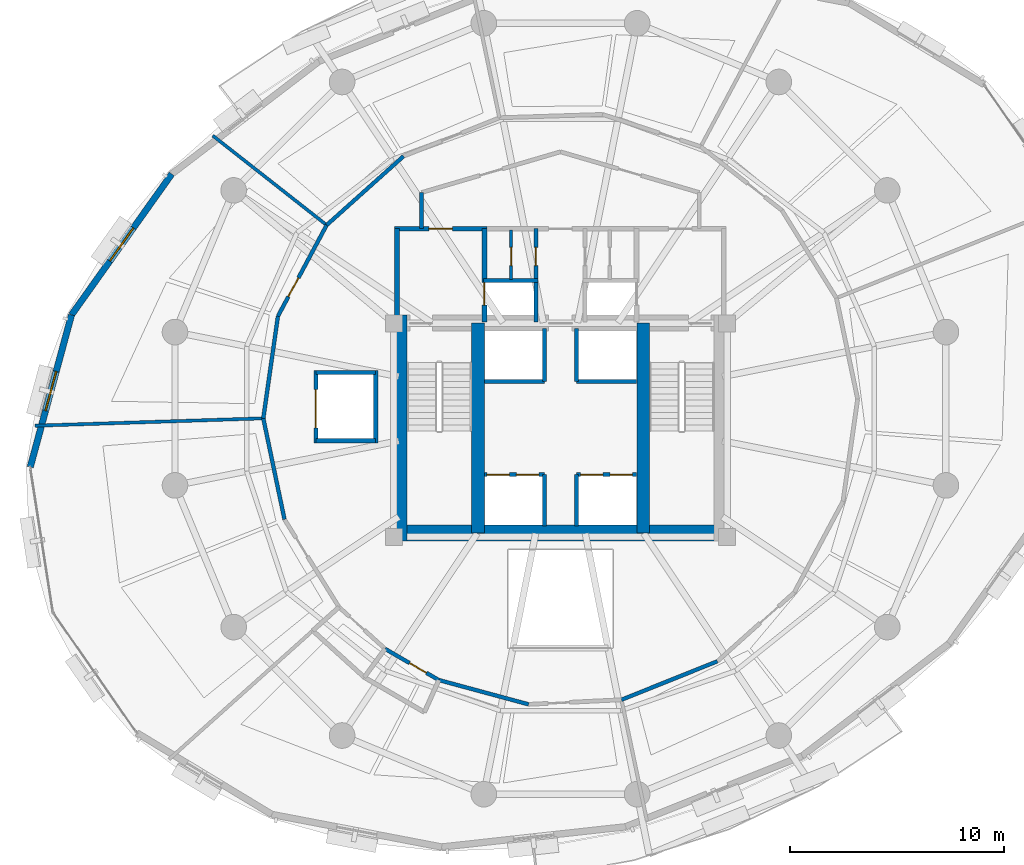
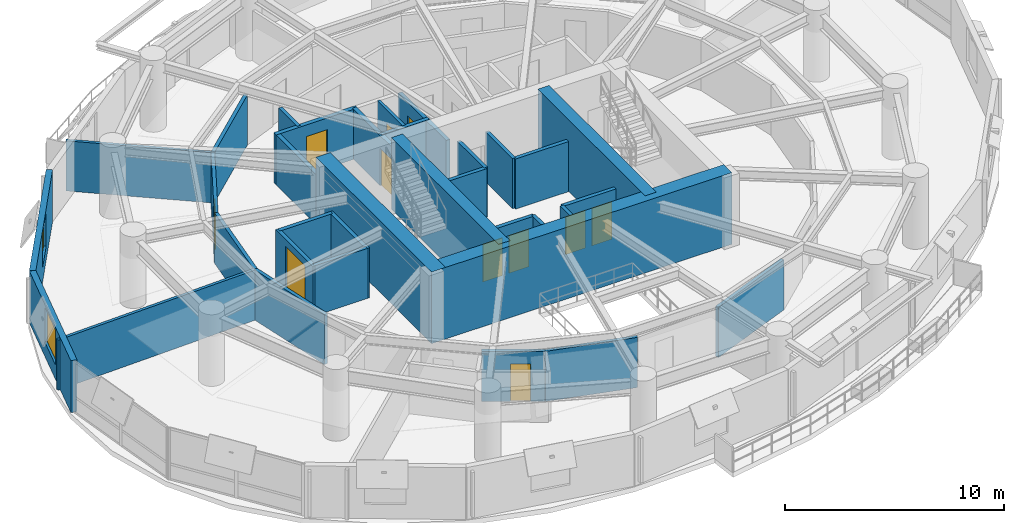
# One storey, part 10 of 14: 34 walls, 11 doors, 2 windows, 13 openings.
"""IFC4 building model written with IfcOpenShell, lengths in metres."""

from ifc_helpers import new_model, si_unit, direction, frame, frame_2d, origin, place, context, subcontext, project, spatial, rectangle, extrude, material, layer, layer_set, type_object, element, fill, save


model = new_model("IFC4")

# Units and contexts
model_context = context("Model", 3, precision=1e-05, world=origin(), true_north=direction((0.0, 1.0)))
body_context = subcontext(model_context, "Body", "Model", "MODEL_VIEW")
ifc_project = project(units=[si_unit("LENGTHUNIT", "METRE"), si_unit("AREAUNIT", "SQUARE_METRE"), si_unit("VOLUMEUNIT", "CUBIC_METRE"), si_unit("PLANEANGLEUNIT", "RADIAN"), si_unit("MASSUNIT", "GRAM", prefix="KILO"), si_unit("THERMODYNAMICTEMPERATUREUNIT", "KELVIN"), si_unit("POWERUNIT", "WATT")], contexts=[model_context])

# Site, building, storey
site_placement = place(None, origin())
site = spatial("IfcSite", under=ifc_project, at=site_placement, CompositionType="ELEMENT")
building_placement = place(site_placement, origin())
building = spatial("IfcBuilding", under=site, at=building_placement, Name="Ocrelia Relay Tower", CompositionType="ELEMENT")
storey_placement = place(building_placement, frame((0.0, 0.0, 125.800048828125)))
storey = spatial("IfcBuildingStorey", under=building, at=storey_placement, Name="L29", CompositionType="ELEMENT", Elevation=125.800048828125)

# Walls
ifc_material_1 = material(Name="Concrete C60/75", Category="concrete")
ifc_layer_1 = layer(ifc_material_1, 0.75, Name="Concrete C60/75")
ifc_layer_set_1 = layer_set([ifc_layer_1], Name="Concrete C60/75")
wall_type_1 = type_object("IfcWallType", Name="CW-CORE-750", PredefinedType="SHEAR", material=ifc_layer_set_1)
wall_1_placement = place(storey_placement, frame((26.072021484375, 20.18701171875, 0.0), z_axis=(0.0, 0.0, 1.0), x_axis=(1.0, 0.0, 0.0)))
element("IfcWall", 1, at=wall_1_placement, inside=storey, type_object=wall_type_1, Name="L29 Core Shear Wall S", PredefinedType="SHEAR", context=body_context, shape_type="SweptSolid", body=[
    extrude(rectangle(XDim=15.865966796875, YDim=0.75, at=frame_2d((7.93310546875, 0.0))), origin(), (0.0, 0.0, 1.0), 4.0),
])
wall_2_placement = place(storey_placement, frame((26.447021484375, 19.81201171875, 0.0), z_axis=(0.0, 0.0, 1.0), x_axis=(0.0, 1.0, 0.0)))
element("IfcWall", 2, at=wall_2_placement, inside=storey, type_object=wall_type_1, Name="L29 Core Shear Wall W", PredefinedType="SHEAR", context=body_context, shape_type="SweptSolid", body=[
    extrude(rectangle(XDim=10.575927734375, YDim=0.75, at=frame_2d((5.2880859375, 0.0))), origin(), (0.0, 0.0, 1.0), 4.0),
])
for number, where, z_axis, x_axis, name in (
    (3, (30.137939453125, 20.18701171875, 0.0), (0.0, 0.0, 1.0), (0.0, 1.0, 0.0), "L29 Core Shear Wall SPW"),
    (4, (37.8720703125, 20.18701171875, 0.0), (0.0, 0.0, 1.0), (0.0, 1.0, 0.0), "L29 Core Shear Wall SPE"),
):
    element("IfcWall", number, at=place(storey_placement, frame(where, z_axis=z_axis, x_axis=x_axis)), inside=storey, type_object=wall_type_1, Name=name, PredefinedType="SHEAR", context=body_context, shape_type="SweptSolid", body=[
        extrude(rectangle(XDim=9.825927734375, YDim=0.60009765625, at=frame_2d((4.9130859375, 0.0))), origin(), (0.0, 0.0, 1.0), 4.0),
    ])
ifc_material_2 = material(Name="Gypsum Fireboard Partition EI60", Category="gypsum")
ifc_layer_2 = layer(ifc_material_2, 0.179931640625, Name="Gypsum Fireboard Partition EI60")
ifc_layer_set_2 = layer_set([ifc_layer_2], Name="Gypsum Fireboard Partition EI60")
wall_type_2 = type_object("IfcWallType", Name="W-CORR-EI60-180", PredefinedType="PARTITIONING", material=ifc_layer_set_2)
wall_3_placement = place(storey_placement, frame((27.5, 34.429931640625, 0.0), z_axis=(0.0, 0.0, 1.0), x_axis=(0.0, 1.0, 0.0)))
element("IfcWall", 5, at=wall_3_placement, inside=storey, type_object=wall_type_2, Name="L29 Smoke Lobby West Return", PredefinedType="PARTITIONING", context=body_context, shape_type="SweptSolid", body=[
    extrude(rectangle(XDim=1.69287109375, YDim=0.179931640625, at=frame_2d((0.846435546875, 0.0))), origin(), (0.0, 0.0, 1.0), 2.800048828125),
])

# Wall, opening, door
wall_4_placement = place(storey_placement, frame((25.78857421875, 14.760009765625, 0.0), z_axis=(0.0, 0.0, 1.0), x_axis=(0.864705496713, -0.502279209161, 0.0)))
wall_4 = element("IfcWall", 6, at=wall_4_placement, inside=storey, type_object=wall_type_2, Name="L29 Accessible Toilet Corridor Wall", PredefinedType="PARTITIONING", context=body_context, shape_type="SweptSolid", body=[
    extrude(rectangle(XDim=2.91015625, YDim=0.179931640625, at=frame_2d((1.455078125, 0.0))), origin(), (0.0, 0.0, 1.0), 2.800048828125),
])
opening_1_placement = place(wall_4_placement, frame((1.321044921875, 0.0, 0.0)))
opening_1 = element("IfcOpeningElement", 7, at=opening_1_placement, cuts=wall_4, Name="Opening D-WC92", PredefinedType="OPENING", context=body_context, shape_type="SweptSolid", body=[
    extrude(rectangle(XDim=0.919921875, YDim=2.10009765625, at=frame_2d((0.4599609375, 1.050048828125))), frame((0.0, 0.10009765625, 0.0), z_axis=(0.0, -1.0, 0.0), x_axis=(1.0, 0.0, 0.0)), (0.0, 0.0, 1.0), 0.199951171875),
])
ifc_material_3 = material(Name="Laminate washroom door", Category="wood")
door_type_1 = type_object("IfcDoorType", Name="DR-WC-920", OperationType="NOTDEFINED", PredefinedType="DOOR", material=ifc_material_3)
door_1_placement = place(opening_1_placement, origin())
door_1 = element("IfcDoor", 8, at=door_1_placement, inside=storey, type_object=door_type_1, Name="L29 Accessible Toilet Door", OperationType="SINGLE_SWING_RIGHT", OverallHeight=2.10009765625, OverallWidth=0.919921875, PredefinedType="DOOR", context=body_context, shape_type="SweptSolid", body=[
    extrude(rectangle(XDim=0.919921875, YDim=2.10009765625, at=frame_2d((0.4599609375, 1.050048828125))), frame((0.0, 0.02490234375, 0.0), z_axis=(0.0, -1.0, 0.0), x_axis=(1.0, 0.0, 0.0)), (0.0, 0.0, 1.0), 0.050048828125),
])
fill(opening_1, door_1)

# Walls
wall_5_placement = place(storey_placement, frame((28.304931640625, 13.29833984375, 0.0), z_axis=(0.0, 0.0, 1.0), x_axis=(0.965247291072, -0.261338223531, 0.0)))
element("IfcWall", 9, at=wall_5_placement, inside=storey, type_object=wall_type_2, Name="L29 Innovation Club Room Corridor Partition 1", PredefinedType="PARTITIONING", context=body_context, shape_type="SweptSolid", body=[
    extrude(rectangle(XDim=4.355224609375, YDim=0.179931640625, at=frame_2d((2.177734375, 0.0))), origin(), (0.0, 0.0, 1.0), 2.800048828125),
])
wall_6_placement = place(storey_placement, frame((36.8583984375, 12.376708984375, 0.0), z_axis=(0.0, 0.0, 1.0), x_axis=(0.928173370801, 0.372148080387, 0.0)))
element("IfcWall", 10, at=wall_6_placement, inside=storey, type_object=wall_type_2, Name="L29 Optical Switching Hall A Corridor Partition 1", PredefinedType="PARTITIONING", context=body_context, shape_type="SweptSolid", body=[
    extrude(rectangle(XDim=4.834228515625, YDim=0.179931640625, at=frame_2d((2.4169921875, 0.0))), origin(), (0.0, 0.0, 1.0), 2.800048828125),
])
wall_7_placement = place(storey_placement, frame((26.654541015625, 37.82421875, 0.0), z_axis=(0.0, 0.0, 1.0), x_axis=(-0.744874027172, -0.66720512861, 0.0)))
element("IfcWall", 11, at=wall_7_placement, inside=storey, type_object=wall_type_2, Name="L29 Staff Wellness Room Corridor Partition 2", PredefinedType="PARTITIONING", context=body_context, shape_type="SweptSolid", body=[
    extrude(rectangle(XDim=4.83447265625, YDim=0.179931640625, at=frame_2d((2.417236328125, 0.0))), origin(), (0.0, 0.0, 1.0), 2.800048828125),
])

# Wall, opening, door
wall_8_placement = place(storey_placement, frame((23.053466796875, 34.5986328125, 0.0), z_axis=(0.0, 0.0, 1.0), x_axis=(-0.4717883109, -0.881711851853, 0.0)))
wall_8 = element("IfcWall", 12, at=wall_8_placement, inside=storey, type_object=wall_type_2, Name="L29 Shift Staff Lounge Corridor Partition 1", PredefinedType="PARTITIONING", context=body_context, shape_type="SweptSolid", body=[
    extrude(rectangle(XDim=4.834228515625, YDim=0.179931640625, at=frame_2d((2.4169921875, 0.0))), origin(), (0.0, 0.0, 1.0), 2.800048828125),
])
opening_2_placement = place(wall_8_placement, frame((2.80078125, 0.0, 0.0)))
opening_2 = element("IfcOpeningElement", 13, at=opening_2_placement, cuts=wall_8, Name="Opening D-RM100", PredefinedType="OPENING", context=body_context, shape_type="SweptSolid", body=[
    extrude(rectangle(XDim=1.0, YDim=2.14990234375, at=frame_2d((0.5, 1.074951171875))), frame((0.0, 0.10009765625, 0.0), z_axis=(0.0, -1.0, 0.0), x_axis=(1.0, 0.0, 0.0)), (0.0, 0.0, 1.0), 0.199951171875),
])
ifc_material_4 = material(Name="Acoustic oak veneer fire door", Category="wood")
door_type_2 = type_object("IfcDoorType", Name="DR-ROOM-FD60-1000", OperationType="NOTDEFINED", PredefinedType="DOOR", material=ifc_material_4)
door_2_placement = place(opening_2_placement, origin())
door_2 = element("IfcDoor", 14, at=door_2_placement, inside=storey, type_object=door_type_2, Name="L29 Shift Staff Lounge Entrance Door", OperationType="SINGLE_SWING_RIGHT", OverallHeight=2.14990234375, OverallWidth=1.0, PredefinedType="DOOR", context=body_context, shape_type="SweptSolid", body=[
    extrude(rectangle(XDim=1.0, YDim=2.14990234375, at=frame_2d((0.5, 1.074951171875))), frame((0.0, 0.02490234375, 0.0), z_axis=(0.0, -1.0, 0.0), x_axis=(1.0, 0.0, 0.0)), (0.0, 0.0, 1.0), 0.050048828125),
])
fill(opening_2, door_2)

# Walls
wall_9_placement = place(storey_placement, frame((20.772705078125, 30.336181640625, 0.0), z_axis=(0.0, 0.0, 1.0), x_axis=(-0.141753638595, -0.989901967846, 0.0)))
element("IfcWall", 15, at=wall_9_placement, inside=storey, type_object=wall_type_2, Name="L29 Shift Staff Lounge Corridor Partition 2", PredefinedType="PARTITIONING", context=body_context, shape_type="SweptSolid", body=[
    extrude(rectangle(XDim=4.83447265625, YDim=0.179931640625, at=frame_2d((2.417236328125, 0.0))), origin(), (0.0, 0.0, 1.0), 2.800048828125),
])
wall_10_placement = place(storey_placement, frame((20.08740234375, 25.550537109375, 0.0), z_axis=(0.0, 0.0, 1.0), x_axis=(0.205343584518, -0.978689946969, 0.0)))
element("IfcWall", 16, at=wall_10_placement, inside=storey, type_object=wall_type_2, Name="L29 Executive Reading Study Corridor Partition 1", PredefinedType="PARTITIONING", context=body_context, shape_type="SweptSolid", body=[
    extrude(rectangle(XDim=4.834228515625, YDim=0.179931640625, at=frame_2d((2.4169921875, 0.0))), origin(), (0.0, 0.0, 1.0), 2.800048828125),
])

# Wall, opening, window
ifc_material_5 = material(Name="Precast concrete C40/50 with oxide terracotta", Category="masonry")
ifc_layer_3 = layer(ifc_material_5, 0.300048828125, Name="Precast concrete C40/50 with oxide terracotta")
ifc_layer_set_3 = layer_set([ifc_layer_3], Name="Precast concrete C40/50 with oxide terracotta")
wall_type_3 = type_object("IfcWallType", Name="W-EXT-TERR-300", PredefinedType="SOLIDWALL", material=ifc_layer_set_3)
wall_11_placement = place(storey_placement, frame((15.802001953125, 36.99072265625, 0.0), z_axis=(0.0, 0.0, 1.0), x_axis=(-0.579736538908, -0.814803992047, 0.0)))
wall_11 = element("IfcWall", 17, at=wall_11_placement, inside=storey, type_object=wall_type_3, Name="L29 Oxide Terracotta Facade Wall 07", PredefinedType="SOLIDWALL", context=body_context, shape_type="SweptSolid", body=[
    extrude(rectangle(XDim=8.0947265625, YDim=0.300048828125, at=frame_2d((4.04736328125, 0.0))), origin(), (0.0, 0.0, 1.0), 2.89990234375),
])
opening_3_placement = place(wall_11_placement, frame((3.097900390625, 0.0, 0.800048828125)))
opening_3 = element("IfcOpeningElement", 18, at=opening_3_placement, cuts=wall_11, Name="Opening W-06", PredefinedType="OPENING", context=body_context, shape_type="SweptSolid", body=[
    extrude(rectangle(XDim=1.89990234375, YDim=1.949951171875, at=frame_2d((0.949951171875, 0.97509765625))), frame((0.0, 0.16015625, 0.0), z_axis=(0.0, -1.0, 0.0), x_axis=(1.0, 0.0, 0.0)), (0.0, 0.0, 1.0), 0.320068359375),
])
ifc_material_6 = material(Name="Clear double-glazed low-E glass", Category="glass")
window_type = type_object("IfcWindowType", Name="WIN-Z2-1900x2100", PartitioningType="DOUBLE_PANEL_VERTICAL", PredefinedType="WINDOW", material=ifc_material_6)
window_1_placement = place(opening_3_placement, origin())
window_1 = element("IfcWindow", 19, at=window_1_placement, inside=storey, type_object=window_type, Name="L29 Facade Module Window 07", OverallHeight=1.949951171875, OverallWidth=1.89990234375, PartitioningType="SINGLE_PANEL", PredefinedType="WINDOW", context=body_context, shape_type="SweptSolid", body=[
    extrude(rectangle(XDim=1.89990234375, YDim=1.949951171875, at=frame_2d((0.949951171875, 0.97509765625))), frame((0.0, 0.030029296875, 0.0), z_axis=(0.0, -1.0, 0.0), x_axis=(1.0, 0.0, 0.0)), (0.0, 0.0, 1.0), 0.06005859375),
])
fill(opening_3, window_1)

wall_12_placement = place(storey_placement, frame((11.109130859375, 30.39501953125, 0.0), z_axis=(0.0, 0.0, 1.0), x_axis=(-0.261681809646, -0.965154200374, 0.0)))
wall_12 = element("IfcWall", 20, at=wall_12_placement, inside=storey, type_object=wall_type_3, Name="L29 Oxide Terracotta Facade Wall 08", PredefinedType="SOLIDWALL", context=body_context, shape_type="SweptSolid", body=[
    extrude(rectangle(XDim=7.383544921875, YDim=0.300048828125, at=frame_2d((3.69189453125, 0.0))), origin(), (0.0, 0.0, 1.0), 2.89990234375),
])
opening_4_placement = place(wall_12_placement, frame((2.741943359375, 0.0, 0.800048828125)))
opening_4 = element("IfcOpeningElement", 21, at=opening_4_placement, cuts=wall_12, Name="Opening W-06", PredefinedType="OPENING", context=body_context, shape_type="SweptSolid", body=[
    extrude(rectangle(XDim=1.89990234375, YDim=1.949951171875, at=frame_2d((0.949951171875, 0.97509765625))), frame((0.0, 0.16015625, 0.0), z_axis=(0.0, -1.0, 0.0), x_axis=(1.0, 0.0, 0.0)), (0.0, 0.0, 1.0), 0.320068359375),
])
window_2_placement = place(opening_4_placement, origin())
window_2 = element("IfcWindow", 22, at=window_2_placement, inside=storey, type_object=window_type, Name="L29 Facade Module Window 08", OverallHeight=1.949951171875, OverallWidth=1.89990234375, PartitioningType="SINGLE_PANEL", PredefinedType="WINDOW", context=body_context, shape_type="SweptSolid", body=[
    extrude(rectangle(XDim=1.89990234375, YDim=1.949951171875, at=frame_2d((0.949951171875, 0.97509765625))), frame((0.0, 0.030029296875, 0.0), z_axis=(0.0, -1.0, 0.0), x_axis=(1.0, 0.0, 0.0)), (0.0, 0.0, 1.0), 0.06005859375),
])
fill(opening_4, window_2)

# Wall
ifc_material_7 = material(Name="Concrete C50/60", Category="concrete")
ifc_layer_4 = layer(ifc_material_7, 0.219970703125, Name="Concrete C50/60")
ifc_layer_set_4 = layer_set([ifc_layer_4], Name="Concrete C50/60")
wall_type_4 = type_object("IfcWallType", Name="W-FFL-EI120-220", PredefinedType="SOLIDWALL", material=ifc_layer_set_4)
wall_13_placement = place(storey_placement, frame((26.35009765625, 30.050048828125, 0.0), z_axis=(0.0, 0.0, 1.0), x_axis=(0.0, 1.0, 0.0)))
element("IfcWall", 23, at=wall_13_placement, inside=storey, type_object=wall_type_4, Name="L29 W Fire Service Lift Lobby West Wall", PredefinedType="SOLIDWALL", context=body_context, shape_type="SweptSolid", body=[
    extrude(rectangle(XDim=4.3798828125, YDim=0.219970703125, at=frame_2d((2.18994140625, 0.0))), origin(), (0.0, 0.0, 1.0), 2.800048828125),
])

# Wall, opening, door
wall_14_placement = place(storey_placement, frame((30.43994140625, 30.050048828125, 0.0), z_axis=(0.0, 0.0, 1.0), x_axis=(0.0, 1.0, 0.0)))
wall_14 = element("IfcWall", 24, at=wall_14_placement, inside=storey, type_object=wall_type_4, Name="L29 W Fire Service Lift Lobby East Wall", PredefinedType="SOLIDWALL", context=body_context, shape_type="SweptSolid", body=[
    extrude(rectangle(XDim=4.3798828125, YDim=0.219970703125, at=frame_2d((2.18994140625, 0.0))), origin(), (0.0, 0.0, 1.0), 2.800048828125),
])
opening_5_placement = place(wall_14_placement, frame((0.800048828125, 0.0, 0.0)))
opening_5 = element("IfcOpeningElement", 25, at=opening_5_placement, cuts=wall_14, Name="Opening LD-FFL1", PredefinedType="OPENING", context=body_context, shape_type="SweptSolid", body=[
    extrude(rectangle(XDim=1.050048828125, YDim=2.10009765625, at=frame_2d((0.52490234375, 1.050048828125))), frame((0.0, 0.1201171875, 0.0), z_axis=(0.0, -1.0, 0.0), x_axis=(1.0, 0.0, 0.0)), (0.0, 0.0, 1.0), 0.239990234375),
])
ifc_material_8 = material(Name="Brushed stainless steel S355 lift landing door", Category="steel")
door_type_3 = type_object("IfcDoorType", Name="DR-LIFT-LAND-1050", OperationType="DOUBLE_DOOR_SLIDING", PredefinedType="USERDEFINED", material=ifc_material_8)
door_3_placement = place(opening_5_placement, origin())
door_3 = element("IfcDoor", 26, at=door_3_placement, inside=storey, type_object=door_type_3, Name="L29 Firefighting Lift FFL1 Sliding Landing Door", ObjectType="LANDING DOOR", OperationType="DOUBLE_DOOR_SLIDING", OverallHeight=2.10009765625, OverallWidth=1.050048828125, PredefinedType="USERDEFINED", context=body_context, shape_type="SweptSolid", body=[
    extrude(rectangle(XDim=1.050048828125, YDim=2.10009765625, at=frame_2d((0.52490234375, 1.050048828125))), frame((0.0, 0.02490234375, 0.0), z_axis=(0.0, -1.0, 0.0), x_axis=(1.0, 0.0, 0.0)), (0.0, 0.0, 1.0), 0.050048828125),
])
fill(opening_5, door_3)

wall_15_placement = place(storey_placement, frame((26.239990234375, 34.429931640625, 0.0), z_axis=(0.0, 0.0, 1.0), x_axis=(1.0, 0.0, 0.0)))
wall_15 = element("IfcWall", 27, at=wall_15_placement, inside=storey, type_object=wall_type_4, Name="L29 W Fire Service Lift Lobby North Wall", PredefinedType="SOLIDWALL", context=body_context, shape_type="SweptSolid", body=[
    extrude(rectangle(XDim=4.31005859375, YDim=0.219970703125, at=frame_2d((2.155029296875, 0.0))), origin(), (0.0, 0.0, 1.0), 2.800048828125),
])
opening_6_placement = place(wall_15_placement, frame((1.60009765625, 0.0, 0.0)))
opening_6 = element("IfcOpeningElement", 28, at=opening_6_placement, cuts=wall_15, Name="Opening D-FD60", PredefinedType="OPENING", context=body_context, shape_type="SweptSolid", body=[
    extrude(rectangle(XDim=1.10009765625, YDim=2.14990234375, at=frame_2d((0.550048828125, 1.074951171875))), frame((0.0, 0.1201171875, 0.0), z_axis=(0.0, -1.0, 0.0), x_axis=(1.0, 0.0, 0.0)), (0.0, 0.0, 1.0), 0.239990234375),
])
ifc_material_9 = material(Name="Timber-core 60-min acoustic fire door", Category="wood")
door_type_4 = type_object("IfcDoorType", Name="DR-LOBBY-FD60-1100", OperationType="NOTDEFINED", PredefinedType="DOOR", material=ifc_material_9)
door_4_placement = place(opening_6_placement, origin())
door_4 = element("IfcDoor", 29, at=door_4_placement, inside=storey, type_object=door_type_4, Name="L29 W Fire Service Lift Lobby Exit Door", OperationType="SINGLE_SWING_RIGHT", OverallHeight=2.14990234375, OverallWidth=1.10009765625, PredefinedType="DOOR", context=body_context, shape_type="SweptSolid", body=[
    extrude(rectangle(XDim=1.10009765625, YDim=2.14990234375, at=frame_2d((0.550048828125, 1.074951171875))), frame((0.0, 0.02490234375, 0.0), z_axis=(0.0, -1.0, 0.0), x_axis=(1.0, 0.0, 0.0)), (0.0, 0.0, 1.0), 0.050048828125),
])
fill(opening_6, door_4)

ifc_material_10 = material(Name="Acoustic Fireboard Partition EI60", Category="gypsum")
ifc_layer_5 = layer(ifc_material_10, 0.14990234375, Name="Acoustic Fireboard Partition EI60")
ifc_layer_set_5 = layer_set([ifc_layer_5], Name="Acoustic Fireboard Partition EI60")
wall_type_5 = type_object("IfcWallType", Name="W-PART-150", PredefinedType="PARTITIONING", material=ifc_layer_set_5)
wall_16_placement = place(storey_placement, frame((31.68994140625, 32.050048828125, 0.0), z_axis=(0.0, 0.0, 1.0), x_axis=(0.0, 1.0, 0.0)))
wall_16 = element("IfcWall", 30, at=wall_16_placement, inside=storey, type_object=wall_type_5, Name="L29 West Core Support Partition", PredefinedType="PARTITIONING", context=body_context, shape_type="SweptSolid", body=[
    extrude(rectangle(XDim=2.329833984375, YDim=0.14990234375, at=frame_2d((1.1650390625, 0.0))), origin(), (0.0, 0.0, 1.0), 2.800048828125),
])
opening_7_placement = place(wall_16_placement, frame((0.64990234375, 0.0, 0.0)))
opening_7 = element("IfcOpeningElement", 31, at=opening_7_placement, cuts=wall_16, Name="Opening D-RS86", PredefinedType="OPENING", context=body_context, shape_type="SweptSolid", body=[
    extrude(rectangle(XDim=0.860107421875, YDim=2.050048828125, at=frame_2d((0.43017578125, 1.02490234375))), frame((0.0, 0.0849609375, 0.0), z_axis=(0.0, -1.0, 0.0), x_axis=(1.0, 0.0, 0.0)), (0.0, 0.0, 1.0), 0.169921875),
])
ifc_material_11 = material(Name="Steel S355 riser access fire door", Category="steel")
door_type_5 = type_object("IfcDoorType", Name="DR-RISER-TRAP-860", OperationType="NOTDEFINED", PredefinedType="TRAPDOOR", material=ifc_material_11)
door_5_placement = place(opening_7_placement, origin())
door_5 = element("IfcDoor", 32, at=door_5_placement, inside=storey, type_object=door_type_5, Name="L29 West Core Store Connecting Door", OperationType="SINGLE_SWING_LEFT", OverallHeight=2.050048828125, OverallWidth=0.860107421875, PredefinedType="TRAPDOOR", context=body_context, shape_type="SweptSolid", body=[
    extrude(rectangle(XDim=0.860107421875, YDim=2.050048828125, at=frame_2d((0.43017578125, 1.02490234375))), frame((0.0, 0.02490234375, 0.0), z_axis=(0.0, -1.0, 0.0), x_axis=(1.0, 0.0, 0.0)), (0.0, 0.0, 1.0), 0.050048828125),
])
fill(opening_7, door_5)

# Walls
wall_17_placement = place(storey_placement, frame((23.053466796875, 34.5986328125, 0.0), z_axis=(0.0, 0.0, 1.0), x_axis=(-0.786392054324, 0.61772772068, 0.0)))
element("IfcWall", 33, at=wall_17_placement, inside=storey, type_object=wall_type_5, Name="L29 Staff Wellness Room Radial Partition", PredefinedType="PARTITIONING", context=body_context, shape_type="SweptSolid", body=[
    extrude(rectangle(XDim=6.780029296875, YDim=0.14990234375, at=frame_2d((3.39013671875, 0.0))), origin(), (0.0, 0.0, 1.0), 2.800048828125),
])
wall_18_placement = place(storey_placement, frame((20.08740234375, 25.550537109375, 0.0), z_axis=(0.0, 0.0, 1.0), x_axis=(-0.999479353963, -0.03226485706, 0.0)))
element("IfcWall", 34, at=wall_18_placement, inside=storey, type_object=wall_type_5, Name="L29 Shift Staff Lounge Radial Partition", PredefinedType="PARTITIONING", context=body_context, shape_type="SweptSolid", body=[
    extrude(rectangle(XDim=10.684326171875, YDim=0.14990234375, at=frame_2d((5.34228515625, 0.0))), origin(), (0.0, 0.0, 1.0), 2.800048828125),
])
ifc_layer_6 = layer(ifc_material_7, 0.199951171875, Name="Concrete C50/60")
ifc_layer_set_6 = layer_set([ifc_layer_6], Name="Concrete C50/60")
wall_type_6 = type_object("IfcWallType", Name="W-SHAFT-EI120-200", PredefinedType="SOLIDWALL", material=ifc_layer_set_6)
wall_19_placement = place(storey_placement, frame((30.39990234375, 32.0, 0.0), z_axis=(0.0, 0.0, 1.0), x_axis=(1.0, 0.0, 0.0)))
element("IfcWall", 35, at=wall_19_placement, inside=storey, type_object=wall_type_6, Name="L29 FFL1 Hoistway North Wall", PredefinedType="SOLIDWALL", context=body_context, shape_type="SweptSolid", body=[
    extrude(rectangle(XDim=2.550048828125, YDim=0.199951171875, at=frame_2d((1.27490234375, 0.0))), origin(), (0.0, 0.0, 1.0), 2.800048828125),
])

# Wall, opening, door
wall_20_placement = place(storey_placement, frame((32.85009765625, 30.050048828125, 0.0), z_axis=(0.0, 0.0, 1.0), x_axis=(0.0, 1.0, 0.0)))
wall_20 = element("IfcWall", 36, at=wall_20_placement, inside=storey, type_object=wall_type_6, Name="L29 FFL1 and Service Vestibule Wall", PredefinedType="SOLIDWALL", context=body_context, shape_type="SweptSolid", body=[
    extrude(rectangle(XDim=4.3798828125, YDim=0.199951171875, at=frame_2d((2.18994140625, 0.0))), origin(), (0.0, 0.0, 1.0), 2.800048828125),
])
opening_8_placement = place(wall_20_placement, frame((2.64990234375, 0.0, 0.0)))
opening_8 = element("IfcOpeningElement", 37, at=opening_8_placement, cuts=wall_20, Name="Opening D-RS86", PredefinedType="OPENING", context=body_context, shape_type="SweptSolid", body=[
    extrude(rectangle(XDim=0.860107421875, YDim=2.050048828125, at=frame_2d((0.43017578125, 1.02490234375))), frame((0.0, 0.10986328125, 0.0), z_axis=(0.0, -1.0, 0.0), x_axis=(1.0, 0.0, 0.0)), (0.0, 0.0, 1.0), 0.219970703125),
])
door_6_placement = place(opening_8_placement, origin())
door_6 = element("IfcDoor", 38, at=door_6_placement, inside=storey, type_object=door_type_5, Name="L29 Core Support Room W Door", OperationType="SINGLE_SWING_LEFT", OverallHeight=2.050048828125, OverallWidth=0.860107421875, PredefinedType="TRAPDOOR", context=body_context, shape_type="SweptSolid", body=[
    extrude(rectangle(XDim=0.860107421875, YDim=2.050048828125, at=frame_2d((0.43017578125, 1.02490234375))), frame((0.0, 0.02490234375, 0.0), z_axis=(0.0, -1.0, 0.0), x_axis=(1.0, 0.0, 0.0)), (0.0, 0.0, 1.0), 0.050048828125),
])
fill(opening_8, door_6)

# Wall, openings, doors
wall_21_placement = place(storey_placement, frame((30.43994140625, 22.919921875, 0.0), z_axis=(0.0, 0.0, 1.0), x_axis=(1.0, 0.0, 0.0)))
wall_21 = element("IfcWall", 39, at=wall_21_placement, inside=storey, type_object=wall_type_6, Name="L29 Low-Rise Lift Hoistway Wall W", PredefinedType="SOLIDWALL", context=body_context, shape_type="SweptSolid", body=[
    extrude(rectangle(XDim=2.81005859375, YDim=0.199951171875, at=frame_2d((1.405029296875, 0.0))), origin(), (0.0, 0.0, 1.0), 2.800048828125),
])
opening_9_placement = place(wall_21_placement, frame((0.1201171875, 0.0, 0.0)))
opening_9 = element("IfcOpeningElement", 40, at=opening_9_placement, cuts=wall_21, Name="Opening LD-PL1", PredefinedType="OPENING", context=body_context, shape_type="SweptSolid", body=[
    extrude(rectangle(XDim=1.050048828125, YDim=2.10009765625, at=frame_2d((0.52490234375, 1.050048828125))), frame((0.0, 0.10986328125, 0.0), z_axis=(0.0, -1.0, 0.0), x_axis=(1.0, 0.0, 0.0)), (0.0, 0.0, 1.0), 0.219970703125),
])
opening_10_placement = place(wall_21_placement, frame((1.5, 0.0, 0.0)))
opening_10 = element("IfcOpeningElement", 41, at=opening_10_placement, cuts=wall_21, Name="Opening LD-PL2", PredefinedType="OPENING", context=body_context, shape_type="SweptSolid", body=[
    extrude(rectangle(XDim=1.050048828125, YDim=2.10009765625, at=frame_2d((0.52490234375, 1.050048828125))), frame((0.0, 0.10986328125, 0.0), z_axis=(0.0, -1.0, 0.0), x_axis=(1.0, 0.0, 0.0)), (0.0, 0.0, 1.0), 0.219970703125),
])
door_7_placement = place(opening_9_placement, origin())
door_7 = element("IfcDoor", 42, at=door_7_placement, inside=storey, type_object=door_type_3, Name="L29 Passenger Lift PL1 Sliding Landing Door", ObjectType="LANDING DOOR", OperationType="DOUBLE_DOOR_SLIDING", OverallHeight=2.10009765625, OverallWidth=1.050048828125, PredefinedType="USERDEFINED", context=body_context, shape_type="SweptSolid", body=[
    extrude(rectangle(XDim=1.050048828125, YDim=2.10009765625, at=frame_2d((0.52490234375, 1.050048828125))), frame((0.0, 0.02490234375, 0.0), z_axis=(0.0, -1.0, 0.0), x_axis=(1.0, 0.0, 0.0)), (0.0, 0.0, 1.0), 0.050048828125),
])
fill(opening_9, door_7)
door_8_placement = place(opening_10_placement, origin())
door_8 = element("IfcDoor", 43, at=door_8_placement, inside=storey, type_object=door_type_3, Name="L29 Passenger Lift PL2 Sliding Landing Door", ObjectType="LANDING DOOR", OperationType="DOUBLE_DOOR_SLIDING", OverallHeight=2.10009765625, OverallWidth=1.050048828125, PredefinedType="USERDEFINED", context=body_context, shape_type="SweptSolid", body=[
    extrude(rectangle(XDim=1.050048828125, YDim=2.10009765625, at=frame_2d((0.52490234375, 1.050048828125))), frame((0.0, 0.02490234375, 0.0), z_axis=(0.0, -1.0, 0.0), x_axis=(1.0, 0.0, 0.0)), (0.0, 0.0, 1.0), 0.050048828125),
])
fill(opening_10, door_8)

# Wall
wall_22_placement = place(storey_placement, frame((33.25, 20.5, 0.0), z_axis=(0.0, 0.0, 1.0), x_axis=(0.0, 1.0, 0.0)))
element("IfcWall", 44, at=wall_22_placement, inside=storey, type_object=wall_type_6, Name="L29 Low-Rise Lift Throat Wall W", PredefinedType="SOLIDWALL", context=body_context, shape_type="SweptSolid", body=[
    extrude(rectangle(XDim=2.419921875, YDim=0.179931640625, at=frame_2d((1.2099609375, 0.0))), origin(), (0.0, 0.0, 1.0), 2.800048828125),
])

# Wall, openings, doors
wall_23_placement = place(storey_placement, frame((34.75, 22.919921875, 0.0), z_axis=(0.0, 0.0, 1.0), x_axis=(1.0, 0.0, 0.0)))
wall_23 = element("IfcWall", 45, at=wall_23_placement, inside=storey, type_object=wall_type_6, Name="L29 Low-Rise Lift Hoistway Wall E", PredefinedType="SOLIDWALL", context=body_context, shape_type="SweptSolid", body=[
    extrude(rectangle(XDim=2.81005859375, YDim=0.199951171875, at=frame_2d((1.405029296875, 0.0))), origin(), (0.0, 0.0, 1.0), 2.800048828125),
])
opening_11_placement = place(wall_23_placement, frame((0.18994140625, 0.0, 0.0)))
opening_11 = element("IfcOpeningElement", 46, at=opening_11_placement, cuts=wall_23, Name="Opening LD-PL3", PredefinedType="OPENING", context=body_context, shape_type="SweptSolid", body=[
    extrude(rectangle(XDim=1.050048828125, YDim=2.10009765625, at=frame_2d((0.52490234375, 1.050048828125))), frame((0.0, 0.10986328125, 0.0), z_axis=(0.0, -1.0, 0.0), x_axis=(1.0, 0.0, 0.0)), (0.0, 0.0, 1.0), 0.219970703125),
])
opening_12_placement = place(wall_23_placement, frame((1.570068359375, 0.0, 0.0)))
opening_12 = element("IfcOpeningElement", 47, at=opening_12_placement, cuts=wall_23, Name="Opening LD-PL4", PredefinedType="OPENING", context=body_context, shape_type="SweptSolid", body=[
    extrude(rectangle(XDim=1.050048828125, YDim=2.10009765625, at=frame_2d((0.52490234375, 1.050048828125))), frame((0.0, 0.10986328125, 0.0), z_axis=(0.0, -1.0, 0.0), x_axis=(1.0, 0.0, 0.0)), (0.0, 0.0, 1.0), 0.219970703125),
])
door_9_placement = place(opening_11_placement, origin())
door_9 = element("IfcDoor", 48, at=door_9_placement, inside=storey, type_object=door_type_3, Name="L29 Passenger Lift PL3 Sliding Landing Door", ObjectType="LANDING DOOR", OperationType="DOUBLE_DOOR_SLIDING", OverallHeight=2.10009765625, OverallWidth=1.050048828125, PredefinedType="USERDEFINED", context=body_context, shape_type="SweptSolid", body=[
    extrude(rectangle(XDim=1.050048828125, YDim=2.10009765625, at=frame_2d((0.52490234375, 1.050048828125))), frame((0.0, 0.02490234375, 0.0), z_axis=(0.0, -1.0, 0.0), x_axis=(1.0, 0.0, 0.0)), (0.0, 0.0, 1.0), 0.050048828125),
])
fill(opening_11, door_9)
door_10_placement = place(opening_12_placement, origin())
door_10 = element("IfcDoor", 49, at=door_10_placement, inside=storey, type_object=door_type_3, Name="L29 Passenger Lift PL4 Sliding Landing Door", ObjectType="LANDING DOOR", OperationType="DOUBLE_DOOR_SLIDING", OverallHeight=2.10009765625, OverallWidth=1.050048828125, PredefinedType="USERDEFINED", context=body_context, shape_type="SweptSolid", body=[
    extrude(rectangle(XDim=1.050048828125, YDim=2.10009765625, at=frame_2d((0.52490234375, 1.050048828125))), frame((0.0, 0.02490234375, 0.0), z_axis=(0.0, -1.0, 0.0), x_axis=(1.0, 0.0, 0.0)), (0.0, 0.0, 1.0), 0.050048828125),
])
fill(opening_12, door_10)

# Walls
wall_24_placement = place(storey_placement, frame((34.75, 20.5, 0.0), z_axis=(0.0, 0.0, 1.0), x_axis=(0.0, 1.0, 0.0)))
element("IfcWall", 50, at=wall_24_placement, inside=storey, type_object=wall_type_6, Name="L29 Low-Rise Lift Throat Wall E", PredefinedType="SOLIDWALL", context=body_context, shape_type="SweptSolid", body=[
    extrude(rectangle(XDim=2.419921875, YDim=0.179931640625, at=frame_2d((1.2099609375, 0.0))), origin(), (0.0, 0.0, 1.0), 2.800048828125),
])
wall_25_placement = place(storey_placement, frame((30.43994140625, 27.280029296875, 0.0), z_axis=(0.0, 0.0, 1.0), x_axis=(1.0, 0.0, 0.0)))
element("IfcWall", 51, at=wall_25_placement, inside=storey, type_object=wall_type_6, Name="L29 High-Rise Lift Hoistway Wall W", PredefinedType="SOLIDWALL", context=body_context, shape_type="SweptSolid", body=[
    extrude(rectangle(XDim=2.81005859375, YDim=0.199951171875, at=frame_2d((1.405029296875, 0.0))), origin(), (0.0, 0.0, 1.0), 2.800048828125),
])
wall_26_placement = place(storey_placement, frame((33.25, 27.280029296875, 0.0), z_axis=(0.0, 0.0, 1.0), x_axis=(0.0, 1.0, 0.0)))
element("IfcWall", 52, at=wall_26_placement, inside=storey, type_object=wall_type_6, Name="L29 High-Rise Lift Throat Wall W", PredefinedType="SOLIDWALL", context=body_context, shape_type="SweptSolid", body=[
    extrude(rectangle(XDim=2.469970703125, YDim=0.179931640625, at=frame_2d((1.23486328125, 0.0))), origin(), (0.0, 0.0, 1.0), 2.800048828125),
])
wall_27_placement = place(storey_placement, frame((34.75, 27.280029296875, 0.0), z_axis=(0.0, 0.0, 1.0), x_axis=(1.0, 0.0, 0.0)))
element("IfcWall", 53, at=wall_27_placement, inside=storey, type_object=wall_type_6, Name="L29 High-Rise Lift Hoistway Wall E", PredefinedType="SOLIDWALL", context=body_context, shape_type="SweptSolid", body=[
    extrude(rectangle(XDim=2.81005859375, YDim=0.199951171875, at=frame_2d((1.405029296875, 0.0))), origin(), (0.0, 0.0, 1.0), 2.800048828125),
])
wall_28_placement = place(storey_placement, frame((34.75, 27.280029296875, 0.0), z_axis=(0.0, 0.0, 1.0), x_axis=(0.0, 1.0, 0.0)))
element("IfcWall", 54, at=wall_28_placement, inside=storey, type_object=wall_type_6, Name="L29 High-Rise Lift Throat Wall E", PredefinedType="SOLIDWALL", context=body_context, shape_type="SweptSolid", body=[
    extrude(rectangle(XDim=2.469970703125, YDim=0.179931640625, at=frame_2d((1.23486328125, 0.0))), origin(), (0.0, 0.0, 1.0), 2.800048828125),
])

# Wall, opening, door
wall_29_placement = place(storey_placement, frame((22.550048828125, 24.39990234375, 0.0), z_axis=(0.0, 0.0, 1.0), x_axis=(0.0, 1.0, 0.0)))
wall_29 = element("IfcWall", 55, at=wall_29_placement, inside=storey, type_object=wall_type_6, Name="L29 Goods Lift Shaft West Wall", PredefinedType="SOLIDWALL", context=body_context, shape_type="SweptSolid", body=[
    extrude(rectangle(XDim=3.400146484375, YDim=0.199951171875, at=frame_2d((1.7001953125, 0.0))), origin(), (0.0, 0.0, 1.0), 2.800048828125),
])
opening_13_placement = place(wall_29_placement, frame((0.699951171875, 0.0, 0.0)))
opening_13 = element("IfcOpeningElement", 56, at=opening_13_placement, cuts=wall_29, Name="Opening LD-GL1", PredefinedType="OPENING", context=body_context, shape_type="SweptSolid", body=[
    extrude(rectangle(XDim=1.800048828125, YDim=2.39990234375, at=frame_2d((0.89990234375, 1.199951171875))), frame((0.0, 0.10986328125, 0.0), z_axis=(0.0, -1.0, 0.0), x_axis=(1.0, 0.0, 0.0)), (0.0, 0.0, 1.0), 0.219970703125),
])
ifc_material_12 = material(Name="Heavy-duty stainless steel S355 goods landing door", Category="steel")
door_type_6 = type_object("IfcDoorType", Name="DR-GOODS-LAND-1800", OperationType="DOUBLE_DOOR_SLIDING", PredefinedType="USERDEFINED", material=ifc_material_12)
door_11_placement = place(opening_13_placement, origin())
door_11 = element("IfcDoor", 57, at=door_11_placement, inside=storey, type_object=door_type_6, Name="L29 Goods Lift GL1 Sliding Landing Door", ObjectType="LANDING DOOR", OperationType="DOUBLE_DOOR_SLIDING", OverallHeight=2.39990234375, OverallWidth=1.800048828125, PredefinedType="USERDEFINED", context=body_context, shape_type="SweptSolid", body=[
    extrude(rectangle(XDim=1.800048828125, YDim=2.39990234375, at=frame_2d((0.89990234375, 1.199951171875))), frame((0.0, 0.02490234375, 0.0), z_axis=(0.0, -1.0, 0.0), x_axis=(1.0, 0.0, 0.0)), (0.0, 0.0, 1.0), 0.050048828125),
])
fill(opening_13, door_11)

# Walls
wall_30_placement = place(storey_placement, frame((25.35009765625, 24.39990234375, 0.0), z_axis=(0.0, 0.0, 1.0), x_axis=(0.0, 1.0, 0.0)))
element("IfcWall", 58, at=wall_30_placement, inside=storey, type_object=wall_type_6, Name="L29 Goods Lift Shaft E Wall", PredefinedType="SOLIDWALL", context=body_context, shape_type="SweptSolid", body=[
    extrude(rectangle(XDim=3.400146484375, YDim=0.199951171875, at=frame_2d((1.7001953125, 0.0))), origin(), (0.0, 0.0, 1.0), 2.800048828125),
])
for number, where, z_axis, x_axis, name in (
    (59, (22.550048828125, 24.5, 0.0), (0.0, 0.0, 1.0), (1.0, 0.0, 0.0), "L29 Goods Lift Shaft S Wall"),
    (60, (22.550048828125, 27.699951171875, 0.0), (0.0, 0.0, 1.0), (1.0, 0.0, 0.0), "L29 Goods Lift Shaft N Wall"),
):
    element("IfcWall", number, at=place(storey_placement, frame(where, z_axis=z_axis, x_axis=x_axis)), inside=storey, type_object=wall_type_6, Name=name, PredefinedType="SOLIDWALL", context=body_context, shape_type="SweptSolid", body=[
        extrude(rectangle(XDim=2.800048828125, YDim=0.199951171875, at=frame_2d((1.39990234375, 0.0))), origin(), (0.0, 0.0, 1.0), 2.800048828125),
    ])

save(model, "model.ifc")
